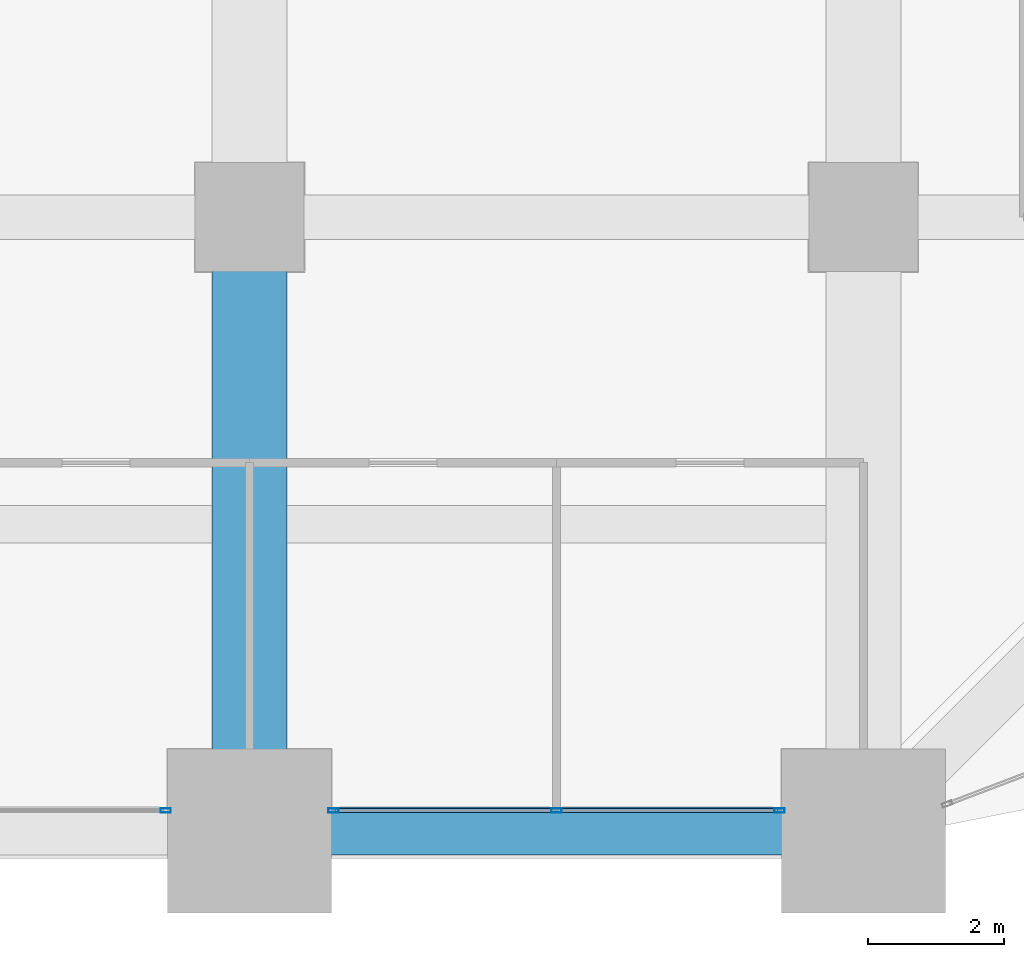
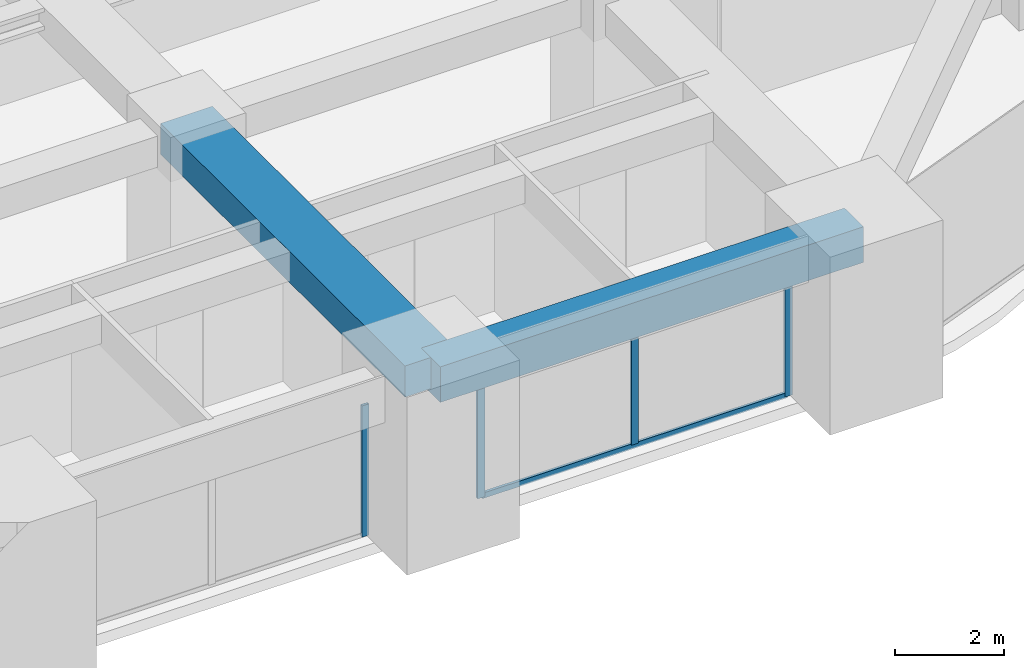
# One storey, part 13 of 32: 5 members, 2 beams, 2 elements without a shape of their own.
"""IFC4 building model written with IfcOpenShell, lengths in metres."""

import ifcopenshell
import ifcopenshell.guid

model = None  # the IFC model being written
_history = None  # IfcOwnerHistory: only IFC2X3 demands one
_inside = {}  # id of a spatial element -> (the spatial element, [elements in it])
_under = {}  # id of a project, library or spatial element -> (it, [spatial elements below it])
_declared = {}  # id of a project -> (the project, [libraries it declares])
_typed = {}  # id of a type object -> (the type object, [elements of that type])
_made_of = {}  # id of a material, layer set ... -> (it, [elements and type objects made of it])


def new_model(schema):
    """Start an empty IFC model of exactly this schema.

    Asked for "IFC4X3", IfcOpenShell would pick the latest addendum, in which some entities
    have other attributes; the version numbers below select the first issue.
    IFC2X3 requires an IfcOwnerHistory on every rooted entity: one is made here for all.
    """
    global model, _history
    if schema == "IFC4X3":
        model = ifcopenshell.file(schema_version=(4, 3, 0, 0))
    else:
        model = ifcopenshell.file(schema=schema)
    _inside.clear()
    _under.clear()
    _declared.clear()
    _typed.clear()
    _made_of.clear()
    _history = None
    if model.schema == "IFC2X3":
        org = make("IfcOrganization", Name="unknown")
        user = make(
            "IfcPersonAndOrganization",
            ThePerson=make("IfcPerson", FamilyName="unknown"),
            TheOrganization=org,
        )
        app = make(
            "IfcApplication",
            ApplicationDeveloper=org,
            Version="unknown",
            ApplicationFullName="unknown",
            ApplicationIdentifier="unknown",
        )
        _history = make(
            "IfcOwnerHistory",
            OwningUser=user,
            OwningApplication=app,
            ChangeAction="ADDED",
            CreationDate=0,
        )
    return model


def make(cls, **values):
    """One entity of the class cls with the attributes given. An attribute that is None is left unset."""
    return model.create_entity(
        cls, **{name: value for name, value in values.items() if value is not None}
    )


def rooted(cls, **values):
    """An entity with a GlobalId (a new one), such as an element, a storey or a relation."""
    return make(cls, GlobalId=ifcopenshell.guid.new(), OwnerHistory=_history, **values)


def si_unit(unit_type, name, prefix=None):
    """IfcSIUnit, for example si_unit("LENGTHUNIT", "METRE", prefix="MILLI")."""
    return make("IfcSIUnit", UnitType=unit_type, Prefix=prefix, Name=name)


def assignment(units):
    """IfcUnitAssignment: the units of a project."""
    return None if units is None else make("IfcUnitAssignment", Units=units)


def point(xyz):
    """IfcCartesianPoint."""
    return None if xyz is None else make("IfcCartesianPoint", Coordinates=xyz)


def direction(xyz):
    """IfcDirection."""
    return None if xyz is None else make("IfcDirection", DirectionRatios=xyz)


def frame(location, z_axis=None, x_axis=None):
    """IfcAxis2Placement3D, a coordinate frame: its origin and axes. An axis left out is left unset."""
    return make(
        "IfcAxis2Placement3D",
        Location=point(location),
        Axis=direction(z_axis),
        RefDirection=direction(x_axis),
    )


def frame_2d(location, x_axis=None):
    """IfcAxis2Placement2D, a coordinate frame in the plane: its origin and x axis."""
    return make(
        "IfcAxis2Placement2D", Location=point(location), RefDirection=direction(x_axis)
    )


def origin():
    """The frame at (0, 0, 0) with its axes left unset."""
    return frame((0.0, 0.0, 0.0))


def origin_2d():
    """The frame at (0, 0) in the plane with its x axis left unset."""
    return frame_2d((0.0, 0.0))


def place(relative_to, where):
    """IfcLocalPlacement: puts the frame where relative to a parent placement (None: the world)."""
    return make(
        "IfcLocalPlacement", PlacementRelTo=relative_to, RelativePlacement=where
    )


def context(
    kind, dimensions, precision=None, world=None, true_north=None, identifier=None
):
    """IfcGeometricRepresentationContext, for example the 3D "Model" context."""
    return make(
        "IfcGeometricRepresentationContext",
        ContextIdentifier=identifier,
        ContextType=kind,
        CoordinateSpaceDimension=dimensions,
        Precision=precision,
        WorldCoordinateSystem=world,
        TrueNorth=true_north,
    )


def subcontext(parent, identifier, kind, view, scale=None):
    """IfcGeometricRepresentationSubContext, for example "Body" below "Model"."""
    return make(
        "IfcGeometricRepresentationSubContext",
        ContextIdentifier=identifier,
        ContextType=kind,
        ParentContext=parent,
        TargetScale=scale,
        TargetView=view,
    )


def project(units=None, contexts=None):
    """IfcProject with its units and contexts."""
    return rooted(
        "IfcProject",
        Name="project",
        RepresentationContexts=contexts,
        UnitsInContext=assignment(units),
    )


def spatial(cls, under=None, at=None, **own):
    """A site, building, storey or space (cls), placed at a placement, below another one or the project."""
    s = rooted(cls, ObjectPlacement=at, **own)
    if under is not None:
        _under.setdefault(under.id(), (under, []))[1].append(s)
    return s


def profile(cls, at=None, kind="AREA", **sizes):
    """A parametric profile (cls). Its sizes go by their IFC names, for example OverallWidth=200.0."""
    return make(cls, ProfileType=kind, Position=at, **sizes)


def rectangle(**sizes):
    """IfcRectangleProfileDef."""
    return profile("IfcRectangleProfileDef", **sizes)


def hollow_rectangle(**sizes):
    """IfcRectangleHollowProfileDef."""
    return profile("IfcRectangleHollowProfileDef", **sizes)


def extrude(swept, where, along, depth):
    """IfcExtrudedAreaSolid: the profile swept, set in the frame where, extruded along a direction by depth."""
    return make(
        "IfcExtrudedAreaSolid",
        SweptArea=swept,
        Position=where,
        ExtrudedDirection=direction(along),
        Depth=depth,
    )


def shape(context_of_items, identifier, shape_type, items):
    """IfcShapeRepresentation: the items that make up one representation, for example the "Body"."""
    return make(
        "IfcShapeRepresentation",
        ContextOfItems=context_of_items,
        RepresentationIdentifier=identifier,
        RepresentationType=shape_type,
        Items=items,
    )


def material(Name=None, Category=None):
    """IfcMaterial."""
    return make("IfcMaterial", Name=Name, Category=Category)


def material_profile(
    of_material, cross_section, Name=None, Category=None, Priority=None
):
    """IfcMaterialProfile: a cross section and its material."""
    return make(
        "IfcMaterialProfile",
        Name=Name,
        Material=of_material,
        Profile=cross_section,
        Priority=Priority,
        Category=Category,
    )


def profile_set(profiles, Name=None, composite=None):
    """IfcMaterialProfileSet."""
    return make(
        "IfcMaterialProfileSet",
        Name=Name,
        MaterialProfiles=profiles,
        CompositeProfile=composite,
    )


def made_of(thing, what):
    """Note that an element or type object is made of a material, layer set ...; save() writes the relation."""
    if what is not None:
        _made_of.setdefault(what.id(), (what, []))[1].append(thing)
    return thing


def type_object(cls, material=None, **own):
    """A type object (cls), such as IfcWallType, which elements share."""
    return made_of(rooted(cls, **own), material)


def element(
    cls,
    number,
    at=None,
    inside=None,
    cuts=None,
    type_object=None,
    material=None,
    context=None,
    identifier="Body",
    shape_type=None,
    held_by="IfcProductDefinitionShape",
    body=None,
    shapes=None,
    **own,
):
    """One element of the class cls, such as IfcWall. Its Tag is "e" and its number.

    at: its placement. inside: the storey or other place that contains it. cuts: it is an
    opening in that element (IfcRelVoidsElement). A single representation is given by context,
    identifier, shape_type and body (its items); several are given by shapes. held_by: the class
    of the entity that holds the representations. save() writes the other relations.
    """
    e = rooted(cls, Tag="e%d" % number, ObjectPlacement=at, **own)
    if body is not None:
        shapes = [shape(context, identifier, shape_type, body)]
    if shapes is not None:
        e.Representation = make(held_by, Representations=shapes)
    if inside is not None:
        _inside.setdefault(inside.id(), (inside, []))[1].append(e)
    if cuts is not None:
        rooted(
            "IfcRelVoidsElement", RelatingBuildingElement=cuts, RelatedOpeningElement=e
        )
    if type_object is not None:
        _typed.setdefault(type_object.id(), (type_object, []))[1].append(e)
    return made_of(e, material)


def aggregate(whole, parts):
    """IfcRelAggregates: a whole, such as a stair, and the parts it consists of."""
    return rooted("IfcRelAggregates", RelatingObject=whole, RelatedObjects=parts)


def save(model, path):
    """Write the relations noted so far, then the file.

    IfcRelAggregates (storeys below a building ...), IfcRelContainedInSpatialStructure (elements
    in a storey), IfcRelDefinesByType, IfcRelAssociatesMaterial and IfcRelDeclares: one each for
    every whole, place, type object, material and project.
    """
    for whole, parts in _under.values():
        aggregate(whole, parts)
    for where, things in _inside.values():
        rooted(
            "IfcRelContainedInSpatialStructure",
            RelatedElements=things,
            RelatingStructure=where,
        )
    for kind, things in _typed.values():
        rooted("IfcRelDefinesByType", RelatedObjects=things, RelatingType=kind)
    for what, things in _made_of.values():
        rooted("IfcRelAssociatesMaterial", RelatedObjects=things, RelatingMaterial=what)
    for by, libraries in _declared.values():
        rooted("IfcRelDeclares", RelatingContext=by, RelatedDefinitions=libraries)
    model.write(path)


model = new_model("IFC4")

# Units and contexts
model_context = context("Model", 3, precision=1e-05, world=origin(), true_north=direction((0.0, 1.0)))
body_context = subcontext(model_context, "Body", "Model", "MODEL_VIEW")
ifc_project = project(units=[si_unit("LENGTHUNIT", "METRE"), si_unit("AREAUNIT", "SQUARE_METRE"), si_unit("VOLUMEUNIT", "CUBIC_METRE"), si_unit("PLANEANGLEUNIT", "RADIAN"), si_unit("MASSUNIT", "GRAM", prefix="KILO")], contexts=[model_context])

# Site, building, storey
site_placement = place(None, origin())
site = spatial("IfcSite", under=ifc_project, at=site_placement, CompositionType="ELEMENT")
building_placement = place(site_placement, origin())
building = spatial("IfcBuilding", under=site, at=building_placement, Name="Zorevar Civic Tower", CompositionType="ELEMENT")
storey_placement = place(building_placement, frame((0.0, 0.0, 182.199951171875)))
storey = spatial("IfcBuildingStorey", under=building, at=storey_placement, Name="L44", CompositionType="ELEMENT", Elevation=182.199951171875)

# Beam
ifc_material_1 = material(Name="Concrete C50/60", Category="concrete")
ifc_material_profile_1 = material_profile(ifc_material_1, rectangle(XDim=1.10009765625, YDim=0.699951171875, at=origin_2d()), Name="RC 1100x700")
ifc_profile_set_1 = profile_set([ifc_material_profile_1], Name="Concrete C50/60")
beam_type_1 = type_object("IfcBeamType", Name="Beam RC 1100x700", PredefinedType="BEAM", material=ifc_profile_set_1)
beam_1_placement = place(storey_placement, frame((36.0, 0.0, 3.400146484375), z_axis=(0.0, 1.0, 0.0), x_axis=(-1.0, 0.0, 0.0)))
element("IfcBeam", 1, at=beam_1_placement, inside=storey, type_object=beam_type_1, Name="Girder L45", PredefinedType="BEAM", context=body_context, shape_type="SweptSolid", body=[
    extrude(rectangle(XDim=1.10009765625, YDim=0.699951171875, at=origin_2d()), origin(), (0.0, 0.0, 1.0), 9.0),
])

# Curtain wall, member
ifc_material_2 = material(Name="Dark grey solar-control glass in black aluminium frame", Category="aluminium")
curtain_wall_type = type_object("IfcCurtainWallType", Name="Curtain wall CW4 high zone", PredefinedType="NOTDEFINED", material=ifc_material_2)
curtain_wall_1_placement = place(storey_placement, origin())
curtain_wall_1 = element("IfcCurtainWall", 2, at=curtain_wall_1_placement, inside=storey, type_object=curtain_wall_type, Name="CW4 L44", PredefinedType="NOTDEFINED")
ifc_material_3 = material(Name="Aluminium, black anodised", Category="aluminium")
ifc_material_profile_2 = material_profile(ifc_material_3, hollow_rectangle(XDim=0.06005859375, YDim=0.14990234375, WallThickness=0.00390625, at=origin_2d()), Name="AL 150x60x4")
ifc_profile_set_2 = profile_set([ifc_material_profile_2], Name="Aluminium, black anodised")
member_type_1 = type_object("IfcMemberType", Name="CW4 mullion AL 150x60x4", PredefinedType="MULLION", material=ifc_profile_set_2)
member_1_placement = place(storey_placement, frame((34.77001953125, 0.300048828125, 0.0), z_axis=(0.0, 0.0, 1.0), x_axis=(0.0, 1.0, 0.0)))
member_1 = element("IfcMember", 3, at=member_1_placement, type_object=member_type_1, Name="CW4 mullion 3", PredefinedType="MULLION", context=body_context, shape_type="SweptSolid", body=[
    extrude(hollow_rectangle(XDim=0.06005859375, YDim=0.14990234375, WallThickness=0.00390625, at=origin_2d()), origin(), (0.0, 0.0, 1.0), 2.949951171875),
])
aggregate(curtain_wall_1, [member_1])

# Curtain wall, members
curtain_wall_2_placement = place(storey_placement, origin())
curtain_wall_2 = element("IfcCurtainWall", 4, at=curtain_wall_2_placement, inside=storey, type_object=curtain_wall_type, Name="CW4 L44", PredefinedType="NOTDEFINED")
member_2_placement = place(storey_placement, frame((37.22998046875, 0.300048828125, 0.0), z_axis=(0.0, 0.0, 1.0), x_axis=(0.0, 1.0, 0.0)))
member_2 = element("IfcMember", 5, at=member_2_placement, type_object=member_type_1, Name="CW4 mullion 1", PredefinedType="MULLION", context=body_context, shape_type="SweptSolid", body=[
    extrude(hollow_rectangle(XDim=0.06005859375, YDim=0.14990234375, WallThickness=0.00390625, at=origin_2d()), origin(), (0.0, 0.0, 1.0), 2.949951171875),
])
member_3_placement = place(storey_placement, frame((40.5, 0.300048828125, 0.06005859375), z_axis=(0.0, 0.0, 1.0), x_axis=(0.0, 1.0, 0.0)))
member_3 = element("IfcMember", 6, at=member_3_placement, type_object=member_type_1, Name="CW4 mullion 2", PredefinedType="MULLION", context=body_context, shape_type="SweptSolid", body=[
    extrude(hollow_rectangle(XDim=0.06005859375, YDim=0.14990234375, WallThickness=0.00390625, at=origin_2d()), origin(), (0.0, 0.0, 1.0), 2.889892578125),
])
member_4_placement = place(storey_placement, frame((43.77001953125, 0.300048828125, 0.0), z_axis=(0.0, 0.0, 1.0), x_axis=(0.0, 1.0, 0.0)))
member_4 = element("IfcMember", 7, at=member_4_placement, type_object=member_type_1, Name="CW4 mullion 3", PredefinedType="MULLION", context=body_context, shape_type="SweptSolid", body=[
    extrude(hollow_rectangle(XDim=0.06005859375, YDim=0.14990234375, WallThickness=0.00390625, at=origin_2d()), origin(), (0.0, 0.0, 1.0), 2.949951171875),
])
ifc_material_4 = material(Name="Aluminium, black anodised", Category="aluminium")
ifc_material_profile_3 = material_profile(ifc_material_4, hollow_rectangle(XDim=0.06005859375, YDim=0.1201171875, WallThickness=0.0029296875, at=origin_2d()), Name="AL 120x60x3")
ifc_profile_set_3 = profile_set([ifc_material_profile_3], Name="Aluminium, black anodised")
member_type_2 = type_object("IfcMemberType", Name="CW4 transom AL 120x60x3", PredefinedType="USERDEFINED", material=ifc_profile_set_3)
member_5_placement = place(storey_placement, frame((37.260009765625, 0.300048828125, 0.030029296875), z_axis=(1.0, 0.0, 0.0), x_axis=(0.0, 1.0, 0.0)))
member_5 = element("IfcMember", 8, at=member_5_placement, type_object=member_type_2, Name="CW4 sill transom", ObjectType="TRANSOM", PredefinedType="USERDEFINED", context=body_context, shape_type="SweptSolid", body=[
    extrude(hollow_rectangle(XDim=0.06005859375, YDim=0.1201171875, WallThickness=0.0029296875, at=origin_2d()), origin(), (0.0, 0.0, 1.0), 6.47998046875),
])
aggregate(curtain_wall_2, [member_2, member_3, member_4, member_5])

# Beam
ifc_material_5 = material(Name="Concrete C50/60", Category="concrete")
ifc_material_profile_4 = material_profile(ifc_material_5, rectangle(XDim=0.699951171875, YDim=0.800048828125, at=origin_2d()), Name="RC 700x800")
ifc_profile_set_4 = profile_set([ifc_material_profile_4], Name="Concrete C50/60")
beam_type_2 = type_object("IfcBeamType", Name="Edge beam RC 700x800", PredefinedType="SPANDREL", material=ifc_profile_set_4)
beam_2_placement = place(storey_placement, frame((36.0, 0.0, 3.35009765625), z_axis=(1.0, 0.0, 0.0), x_axis=(0.0, 1.0, 0.0)))
element("IfcBeam", 9, at=beam_2_placement, inside=storey, type_object=beam_type_2, Name="Edge beam L45", PredefinedType="SPANDREL", context=body_context, shape_type="SweptSolid", body=[
    extrude(rectangle(XDim=0.699951171875, YDim=0.800048828125, at=origin_2d()), origin(), (0.0, 0.0, 1.0), 9.0),
])

save(model, "model.ifc")
